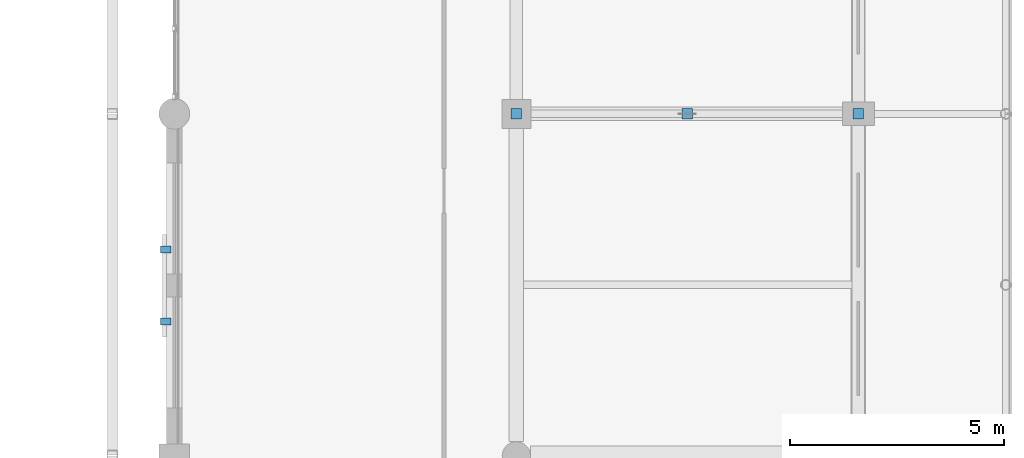
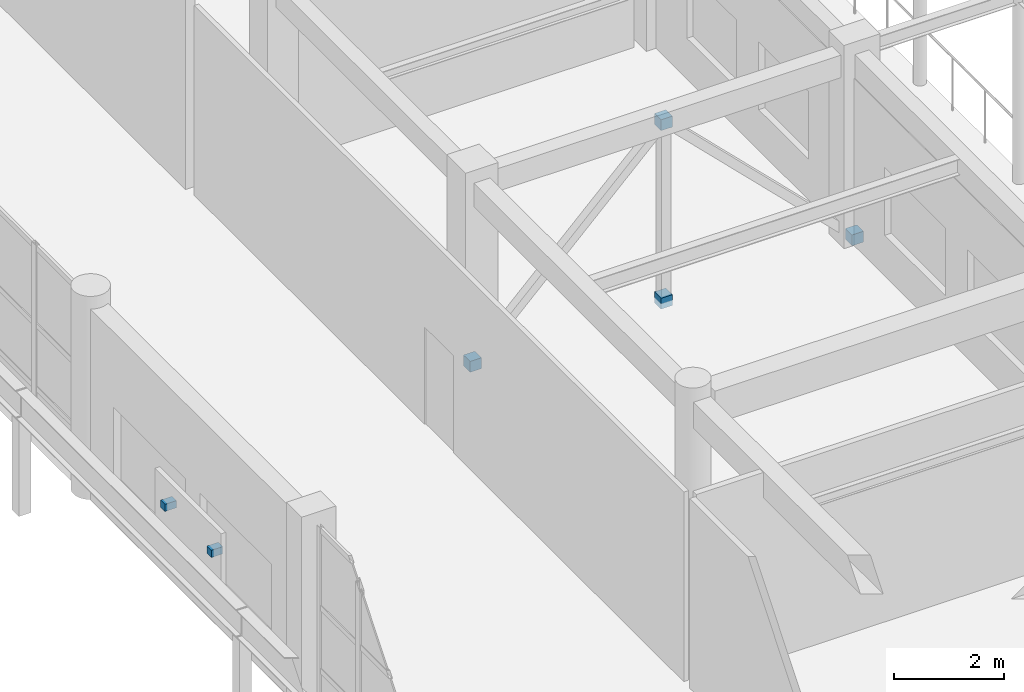
# One storey, part 142 of 160: 6 discrete accessories.
"""IFC4 building model written with IfcOpenShell, lengths in metres."""

import ifcopenshell
import ifcopenshell.guid

model = None  # the IFC model being written
_history = None  # IfcOwnerHistory: only IFC2X3 demands one
_inside = {}  # id of a spatial element -> (the spatial element, [elements in it])
_under = {}  # id of a project, library or spatial element -> (it, [spatial elements below it])
_declared = {}  # id of a project -> (the project, [libraries it declares])
_typed = {}  # id of a type object -> (the type object, [elements of that type])
_made_of = {}  # id of a material, layer set ... -> (it, [elements and type objects made of it])


def new_model(schema):
    """Start an empty IFC model of exactly this schema.

    Asked for "IFC4X3", IfcOpenShell would pick the latest addendum, in which some entities
    have other attributes; the version numbers below select the first issue.
    IFC2X3 requires an IfcOwnerHistory on every rooted entity: one is made here for all.
    """
    global model, _history
    if schema == "IFC4X3":
        model = ifcopenshell.file(schema_version=(4, 3, 0, 0))
    else:
        model = ifcopenshell.file(schema=schema)
    _inside.clear()
    _under.clear()
    _declared.clear()
    _typed.clear()
    _made_of.clear()
    _history = None
    if model.schema == "IFC2X3":
        org = make("IfcOrganization", Name="unknown")
        user = make(
            "IfcPersonAndOrganization",
            ThePerson=make("IfcPerson", FamilyName="unknown"),
            TheOrganization=org,
        )
        app = make(
            "IfcApplication",
            ApplicationDeveloper=org,
            Version="unknown",
            ApplicationFullName="unknown",
            ApplicationIdentifier="unknown",
        )
        _history = make(
            "IfcOwnerHistory",
            OwningUser=user,
            OwningApplication=app,
            ChangeAction="ADDED",
            CreationDate=0,
        )
    return model


def make(cls, **values):
    """One entity of the class cls with the attributes given. An attribute that is None is left unset."""
    return model.create_entity(
        cls, **{name: value for name, value in values.items() if value is not None}
    )


def rooted(cls, **values):
    """An entity with a GlobalId (a new one), such as an element, a storey or a relation."""
    return make(cls, GlobalId=ifcopenshell.guid.new(), OwnerHistory=_history, **values)


def si_unit(unit_type, name, prefix=None):
    """IfcSIUnit, for example si_unit("LENGTHUNIT", "METRE", prefix="MILLI")."""
    return make("IfcSIUnit", UnitType=unit_type, Prefix=prefix, Name=name)


def assignment(units):
    """IfcUnitAssignment: the units of a project."""
    return None if units is None else make("IfcUnitAssignment", Units=units)


def point(xyz):
    """IfcCartesianPoint."""
    return None if xyz is None else make("IfcCartesianPoint", Coordinates=xyz)


def direction(xyz):
    """IfcDirection."""
    return None if xyz is None else make("IfcDirection", DirectionRatios=xyz)


def frame(location, z_axis=None, x_axis=None):
    """IfcAxis2Placement3D, a coordinate frame: its origin and axes. An axis left out is left unset."""
    return make(
        "IfcAxis2Placement3D",
        Location=point(location),
        Axis=direction(z_axis),
        RefDirection=direction(x_axis),
    )


def frame_2d(location, x_axis=None):
    """IfcAxis2Placement2D, a coordinate frame in the plane: its origin and x axis."""
    return make(
        "IfcAxis2Placement2D", Location=point(location), RefDirection=direction(x_axis)
    )


def origin():
    """The frame at (0, 0, 0) with its axes left unset."""
    return frame((0.0, 0.0, 0.0))


def origin_2d():
    """The frame at (0, 0) in the plane with its x axis left unset."""
    return frame_2d((0.0, 0.0))


def place(relative_to, where):
    """IfcLocalPlacement: puts the frame where relative to a parent placement (None: the world)."""
    return make(
        "IfcLocalPlacement", PlacementRelTo=relative_to, RelativePlacement=where
    )


def context(
    kind, dimensions, precision=None, world=None, true_north=None, identifier=None
):
    """IfcGeometricRepresentationContext, for example the 3D "Model" context."""
    return make(
        "IfcGeometricRepresentationContext",
        ContextIdentifier=identifier,
        ContextType=kind,
        CoordinateSpaceDimension=dimensions,
        Precision=precision,
        WorldCoordinateSystem=world,
        TrueNorth=true_north,
    )


def subcontext(parent, identifier, kind, view, scale=None):
    """IfcGeometricRepresentationSubContext, for example "Body" below "Model"."""
    return make(
        "IfcGeometricRepresentationSubContext",
        ContextIdentifier=identifier,
        ContextType=kind,
        ParentContext=parent,
        TargetScale=scale,
        TargetView=view,
    )


def project(units=None, contexts=None):
    """IfcProject with its units and contexts."""
    return rooted(
        "IfcProject",
        Name="project",
        RepresentationContexts=contexts,
        UnitsInContext=assignment(units),
    )


def spatial(cls, under=None, at=None, **own):
    """A site, building, storey or space (cls), placed at a placement, below another one or the project."""
    s = rooted(cls, ObjectPlacement=at, **own)
    if under is not None:
        _under.setdefault(under.id(), (under, []))[1].append(s)
    return s


def profile(cls, at=None, kind="AREA", **sizes):
    """A parametric profile (cls). Its sizes go by their IFC names, for example OverallWidth=200.0."""
    return make(cls, ProfileType=kind, Position=at, **sizes)


def rectangle(**sizes):
    """IfcRectangleProfileDef."""
    return profile("IfcRectangleProfileDef", **sizes)


def extrude(swept, where, along, depth):
    """IfcExtrudedAreaSolid: the profile swept, set in the frame where, extruded along a direction by depth."""
    return make(
        "IfcExtrudedAreaSolid",
        SweptArea=swept,
        Position=where,
        ExtrudedDirection=direction(along),
        Depth=depth,
    )


def shape(context_of_items, identifier, shape_type, items):
    """IfcShapeRepresentation: the items that make up one representation, for example the "Body"."""
    return make(
        "IfcShapeRepresentation",
        ContextOfItems=context_of_items,
        RepresentationIdentifier=identifier,
        RepresentationType=shape_type,
        Items=items,
    )


def material(Name=None, Category=None):
    """IfcMaterial."""
    return make("IfcMaterial", Name=Name, Category=Category)


def made_of(thing, what):
    """Note that an element or type object is made of a material, layer set ...; save() writes the relation."""
    if what is not None:
        _made_of.setdefault(what.id(), (what, []))[1].append(thing)
    return thing


def type_object(cls, material=None, **own):
    """A type object (cls), such as IfcWallType, which elements share."""
    return made_of(rooted(cls, **own), material)


def element(
    cls,
    number,
    at=None,
    inside=None,
    cuts=None,
    type_object=None,
    material=None,
    context=None,
    identifier="Body",
    shape_type=None,
    held_by="IfcProductDefinitionShape",
    body=None,
    shapes=None,
    **own,
):
    """One element of the class cls, such as IfcWall. Its Tag is "e" and its number.

    at: its placement. inside: the storey or other place that contains it. cuts: it is an
    opening in that element (IfcRelVoidsElement). A single representation is given by context,
    identifier, shape_type and body (its items); several are given by shapes. held_by: the class
    of the entity that holds the representations. save() writes the other relations.
    """
    e = rooted(cls, Tag="e%d" % number, ObjectPlacement=at, **own)
    if body is not None:
        shapes = [shape(context, identifier, shape_type, body)]
    if shapes is not None:
        e.Representation = make(held_by, Representations=shapes)
    if inside is not None:
        _inside.setdefault(inside.id(), (inside, []))[1].append(e)
    if cuts is not None:
        rooted(
            "IfcRelVoidsElement", RelatingBuildingElement=cuts, RelatedOpeningElement=e
        )
    if type_object is not None:
        _typed.setdefault(type_object.id(), (type_object, []))[1].append(e)
    return made_of(e, material)


def aggregate(whole, parts):
    """IfcRelAggregates: a whole, such as a stair, and the parts it consists of."""
    return rooted("IfcRelAggregates", RelatingObject=whole, RelatedObjects=parts)


def save(model, path):
    """Write the relations noted so far, then the file.

    IfcRelAggregates (storeys below a building ...), IfcRelContainedInSpatialStructure (elements
    in a storey), IfcRelDefinesByType, IfcRelAssociatesMaterial and IfcRelDeclares: one each for
    every whole, place, type object, material and project.
    """
    for whole, parts in _under.values():
        aggregate(whole, parts)
    for where, things in _inside.values():
        rooted(
            "IfcRelContainedInSpatialStructure",
            RelatedElements=things,
            RelatingStructure=where,
        )
    for kind, things in _typed.values():
        rooted("IfcRelDefinesByType", RelatedObjects=things, RelatingType=kind)
    for what, things in _made_of.values():
        rooted("IfcRelAssociatesMaterial", RelatedObjects=things, RelatingMaterial=what)
    for by, libraries in _declared.values():
        rooted("IfcRelDeclares", RelatingContext=by, RelatedDefinitions=libraries)
    model.write(path)


model = new_model("IFC4")

# Units and contexts
model_context = context("Model", 3, precision=1e-05, world=origin(), true_north=direction((0.0, 1.0)))
body_context = subcontext(model_context, "Body", "Model", "MODEL_VIEW")
ifc_project = project(units=[si_unit("LENGTHUNIT", "METRE"), si_unit("AREAUNIT", "SQUARE_METRE"), si_unit("VOLUMEUNIT", "CUBIC_METRE"), si_unit("PLANEANGLEUNIT", "RADIAN"), si_unit("MASSUNIT", "GRAM", prefix="KILO")], contexts=[model_context])

# Site, building, storey
site_placement = place(None, origin())
site = spatial("IfcSite", under=ifc_project, at=site_placement, CompositionType="ELEMENT")
building_placement = place(site_placement, origin())
building = spatial("IfcBuilding", under=site, at=building_placement, Name="Kharva Crest Polytechnic", CompositionType="ELEMENT")
storey_placement = place(building_placement, frame((0.0, 0.0, 4.5)))
storey = spatial("IfcBuildingStorey", under=building, at=storey_placement, Name="L01", CompositionType="ELEMENT", Elevation=4.5)

# Discrete accessories
ifc_material_1 = material(Name="Anodised aluminium", Category="aluminium")
discrete_accessory_type_1 = type_object("IfcDiscreteAccessoryType", Name="ACC-BRK-JAALI", PredefinedType="BRACKET", material=ifc_material_1)
for number, where, z_axis, x_axis, name in (
    (1, (31.797607421875, 75.623779296875, 1.56982421875), (0.0, 0.0, 1.0), (0.0, 1.0, 0.0), "L01 Jaali Screen Bracket 35.1"),
    (2, (31.797607421875, 73.94384765625, 1.56982421875), (0.0, 0.0, 1.0), (0.0, 1.0, 0.0), "L01 Jaali Screen Bracket 35.2"),
):
    element("IfcDiscreteAccessory", number, at=place(storey_placement, frame(where, z_axis=z_axis, x_axis=x_axis)), inside=storey, type_object=discrete_accessory_type_1, Name=name, PredefinedType="BRACKET", context=body_context, shape_type="SweptSolid", body=[
        extrude(rectangle(XDim=0.159912109375, YDim=0.239990234375, at=origin_2d()), origin(), (0.0, 0.0, 1.0), 0.159912109375),
    ])
ifc_material_2 = material(Name="Steel S355", Category="steel")
discrete_accessory_type_2 = type_object("IfcDiscreteAccessoryType", Name="ACC-SHOE-BF240", PredefinedType="SHOE", material=ifc_material_2)
for number, where, z_axis, x_axis, name in (
    (3, (40.0, 78.800048828125, -0.1201171875), (0.0, 0.0, 1.0), (1.0, 0.0, 0.0), "L01 Brace Foot Shoe 5A"),
    (4, (48.0, 78.800048828125, -0.1201171875), (0.0, 0.0, 1.0), (1.0, 0.0, 0.0), "L01 Brace Foot Shoe 5B"),
    (5, (44.0, 78.800048828125, 3.830078125), (0.0, 0.0, 1.0), (1.0, 0.0, 0.0), "L01 Brace TOP Shoe 5"),
    (6, (44.0, 78.800048828125, -0.1201171875), (0.0, 0.0, 1.0), (1.0, 0.0, 0.0), "L01 Brace BOT Shoe 5"),
):
    element("IfcDiscreteAccessory", number, at=place(storey_placement, frame(where, z_axis=z_axis, x_axis=x_axis)), inside=storey, type_object=discrete_accessory_type_2, Name=name, PredefinedType="SHOE", context=body_context, shape_type="SweptSolid", body=[
        extrude(rectangle(XDim=0.239990234375, YDim=0.239990234375, at=origin_2d()), origin(), (0.0, 0.0, 1.0), 0.239990234375),
    ])

save(model, "model.ifc")
